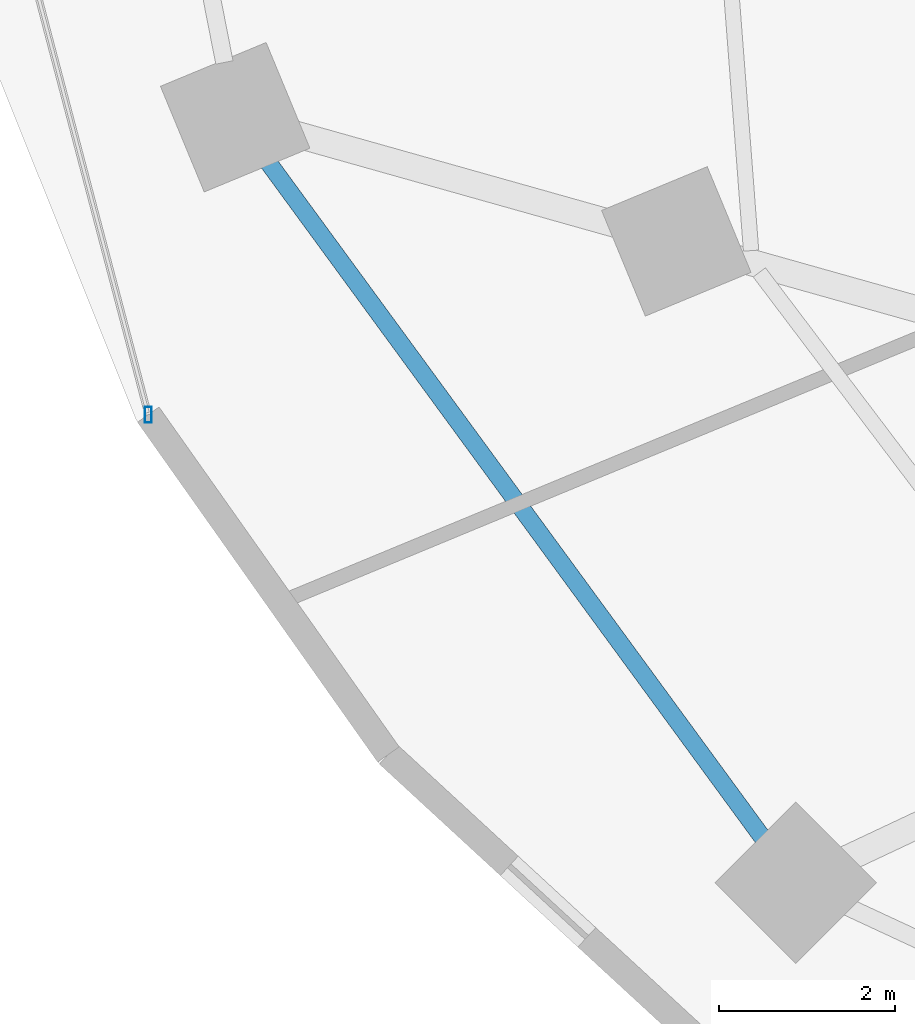
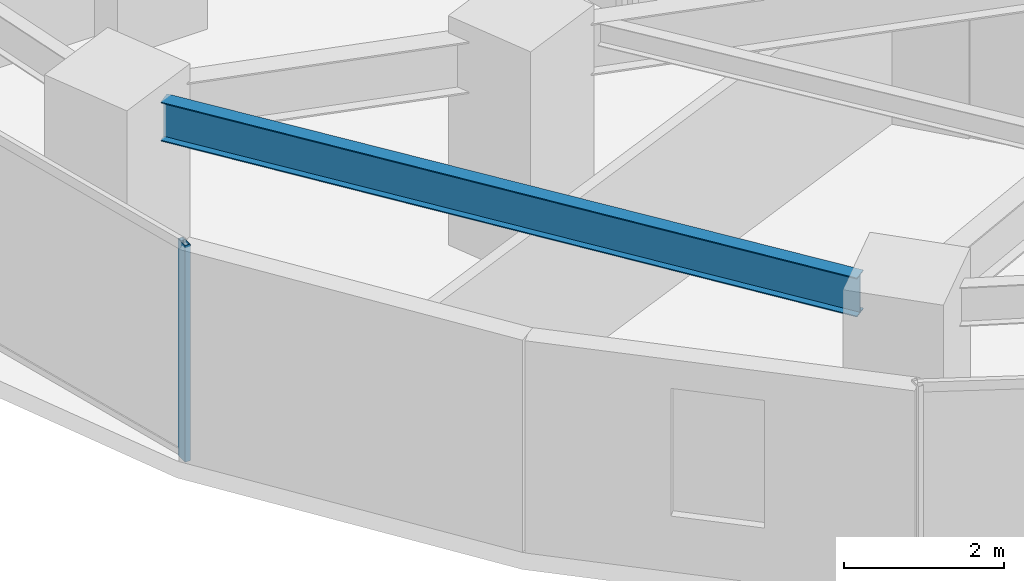
# One storey, part 3 of 34: 1 beam, 1 member, 1 element without a shape of its own.
"""IFC4 building model written with IfcOpenShell, lengths in metres."""

from ifc_helpers import new_model, si_unit, direction, frame, origin, origin_2d, place, context, subcontext, project, spatial, hollow_rectangle, i_section, extrude, material, material_profile, profile_set, type_object, element, aggregate, save


model = new_model("IFC4")

# Units and contexts
model_context = context("Model", 3, precision=1e-05, world=origin(), true_north=direction((0.0, 1.0)))
body_context = subcontext(model_context, "Body", "Model", "MODEL_VIEW")
ifc_project = project(units=[si_unit("LENGTHUNIT", "METRE"), si_unit("AREAUNIT", "SQUARE_METRE"), si_unit("VOLUMEUNIT", "CUBIC_METRE"), si_unit("PLANEANGLEUNIT", "RADIAN"), si_unit("MASSUNIT", "GRAM", prefix="KILO")], contexts=[model_context])

# Site, building, storey
site_placement = place(None, origin())
site = spatial("IfcSite", under=ifc_project, at=site_placement, CompositionType="ELEMENT")
building_placement = place(site_placement, origin())
building = spatial("IfcBuilding", under=site, at=building_placement, Name="Vorneva Point Tower", CompositionType="ELEMENT")
storey_placement = place(building_placement, frame((0.0, 0.0, 31.0)))
storey = spatial("IfcBuildingStorey", under=building, at=storey_placement, Name="L07", CompositionType="ELEMENT", Elevation=31.0)

# Beam
ifc_material_1 = material(Name="Steel S355", Category="steel")
ifc_material_profile_1 = material_profile(ifc_material_1, i_section(OverallWidth=0.198974609375, OverallDepth=0.595947265625, WebThickness=0.010009765625, FlangeThickness=0.014892578125, at=origin_2d()), Name="60B1")
ifc_profile_set_1 = profile_set([ifc_material_profile_1], Name="Steel S355")
beam_type = type_object("IfcBeamType", Name="BM-SPN-60B1", PredefinedType="SPANDREL", material=ifc_profile_set_1)
beam_placement = place(storey_placement, frame((12.063232421875, 20.317138671875, 2.94189453125), z_axis=(0.59073079975, -0.806868714369, 0.0), x_axis=(0.806868714369, 0.59073079975, 0.0)))
element("IfcBeam", 1, at=beam_placement, inside=storey, type_object=beam_type, Name="L07 Perimeter Spandrel Ring Beam 10", PredefinedType="SPANDREL", context=body_context, shape_type="SweptSolid", body=[
    extrude(i_section(OverallWidth=0.198974609375, OverallDepth=0.595947265625, WebThickness=0.010009765625, FlangeThickness=0.014892578125, at=origin_2d()), origin(), (0.0, 0.0, 1.0), 9.518798828125),
])

# Curtain wall, member
ifc_material_2 = material(Name="Pale anodised aluminium", Category="aluminium")
curtain_wall_type = type_object("IfcCurtainWallType", Name="CW-HTL-SYS", PredefinedType="NOTDEFINED", material=ifc_material_2)
curtain_wall_placement = place(storey_placement, origin())
curtain_wall = element("IfcCurtainWall", 2, at=curtain_wall_placement, inside=storey, type_object=curtain_wall_type, Name="L07 Unitised Curtain Wall CW-L07-R03", PredefinedType="NOTDEFINED")
ifc_material_profile_2 = material_profile(ifc_material_2, hollow_rectangle(XDim=0.074951171875, YDim=0.179931640625, WallThickness=0.00390625, at=origin_2d()), Name="AL-MUL 180x75x4")
ifc_profile_set_2 = profile_set([ifc_material_profile_2], Name="Pale anodised aluminium")
member_type = type_object("IfcMemberType", Name="CW-MUL-180", PredefinedType="MULLION", material=ifc_profile_set_2)
member_placement = place(storey_placement, frame((10.699462890625, 17.447021484375, -0.0400390625), z_axis=(0.0, 0.0, 1.0), x_axis=(1.0, 0.0, 0.0)))
member = element("IfcMember", 3, at=member_placement, type_object=member_type, Name="CW-L07-R03 Mullion 04", PredefinedType="MULLION", context=body_context, shape_type="SweptSolid", body=[
    extrude(hollow_rectangle(XDim=0.074951171875, YDim=0.179931640625, WallThickness=0.00390625, at=origin_2d()), origin(), (0.0, 0.0, 1.0), 3.31005859375),
])
aggregate(curtain_wall, [member])

save(model, "model.ifc")
